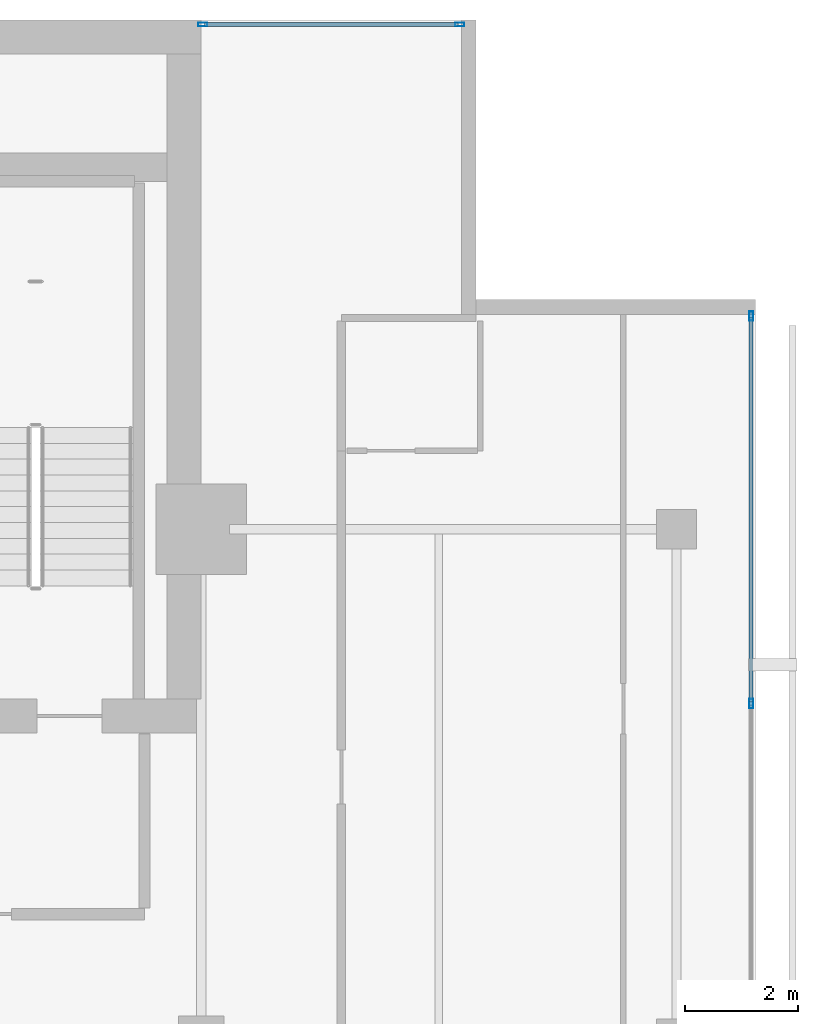
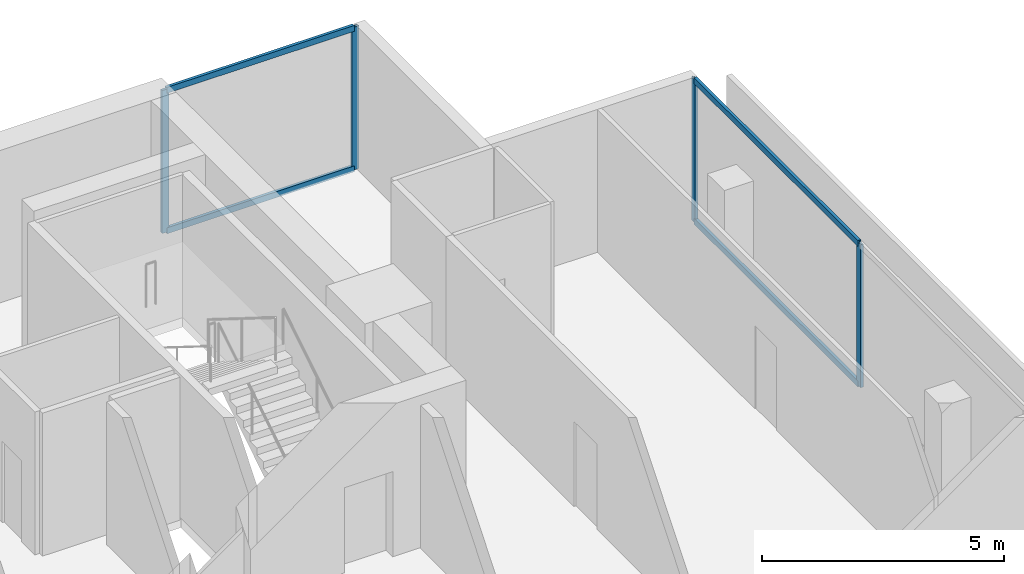
# One storey, part 18 of 25: 8 members, 2 elements without a shape of their own.
"""IFC4 building model written with IfcOpenShell, lengths in metres."""

from ifc_helpers import new_model, si_unit, direction, frame, origin, origin_2d, place, context, subcontext, project, spatial, hollow_rectangle, extrude, material, layer, layer_set, material_profile, profile_set, type_object, element, aggregate, save


model = new_model("IFC4")

# Units and contexts
model_context = context("Model", 3, precision=1e-05, world=origin(), true_north=direction((0.0, 1.0)))
body_context = subcontext(model_context, "Body", "Model", "MODEL_VIEW")
ifc_project = project(units=[si_unit("LENGTHUNIT", "METRE"), si_unit("AREAUNIT", "SQUARE_METRE"), si_unit("VOLUMEUNIT", "CUBIC_METRE"), si_unit("PLANEANGLEUNIT", "RADIAN"), si_unit("MASSUNIT", "GRAM", prefix="KILO")], contexts=[model_context])

# Site, building, storey
site_placement = place(None, origin())
site = spatial("IfcSite", under=ifc_project, at=site_placement, CompositionType="ELEMENT")
building_placement = place(site_placement, origin())
building = spatial("IfcBuilding", under=site, at=building_placement, Name="Maruvema Waterfront Hotel and Observation Tower", CompositionType="ELEMENT")
storey_placement = place(building_placement, frame((0.0, 0.0, 281.75)))
storey = spatial("IfcBuildingStorey", under=building, at=storey_placement, Name="L69", CompositionType="ELEMENT", Elevation=281.75)

# Curtain wall, members
ifc_material_1 = material(Name="Anodised bronze aluminium and solar-control low-E IGU", Category="aluminium")
ifc_layer = layer(ifc_material_1, 0.159912109375, Name="Zone 3 Champagne Inner Thermal Curtain Wall System CW-04")
ifc_layer_set = layer_set([ifc_layer], Name="Anodised bronze aluminium and solar-control low-E IGU")
curtain_wall_type = type_object("IfcCurtainWallType", Name="Zone 3 Champagne Inner Thermal Curtain Wall System CW-04", PredefinedType="USERDEFINED", material=ifc_layer_set)
curtain_wall_1_placement = place(storey_placement, origin())
curtain_wall_1 = element("IfcCurtainWall", 1, at=curtain_wall_1_placement, inside=storey, type_object=curtain_wall_type, Name="L69 Curtain Wall CW-L69-E", ObjectType="UNITISED CURTAIN WALL", PredefinedType="USERDEFINED")
ifc_material_2 = material(Name="Anodised architectural bronze aluminium", Category="aluminium")
ifc_material_profile_1 = material_profile(ifc_material_2, hollow_rectangle(XDim=0.070068359375, YDim=0.14990234375, WallThickness=0.00390625, at=origin_2d()), Name="ALU-T70x150")
ifc_profile_set_1 = profile_set([ifc_material_profile_1], Name="Anodised architectural bronze aluminium")
member_type_1 = type_object("IfcMemberType", Name="Curtain Wall Horizontal Transom ALU-T70x150", PredefinedType="USERDEFINED", material=ifc_profile_set_1)
member_1_placement = place(storey_placement, frame((60.1201171875, 41.949951171875, 0.030029296875), z_axis=(0.0, 1.0, 0.0), x_axis=(-1.0, 0.0, 0.0)))
member_1 = element("IfcMember", 2, at=member_1_placement, type_object=member_type_1, Name="CW-04 transom 5.1", ObjectType="TRANSOM", PredefinedType="USERDEFINED", context=body_context, shape_type="SweptSolid", body=[
    extrude(hollow_rectangle(XDim=0.070068359375, YDim=0.14990234375, WallThickness=0.00390625, at=origin_2d()), origin(), (0.0, 0.0, 1.0), 6.7900390625),
])
member_2_placement = place(storey_placement, frame((60.1201171875, 41.949951171875, 3.580078125), z_axis=(0.0, 1.0, 0.0), x_axis=(-1.0, 0.0, 0.0)))
member_2 = element("IfcMember", 3, at=member_2_placement, type_object=member_type_1, Name="CW-04 transom 5.2", ObjectType="TRANSOM", PredefinedType="USERDEFINED", context=body_context, shape_type="SweptSolid", body=[
    extrude(hollow_rectangle(XDim=0.070068359375, YDim=0.14990234375, WallThickness=0.00390625, at=origin_2d()), origin(), (0.0, 0.0, 1.0), 6.7900390625),
])

curtain_wall_2_placement = place(storey_placement, origin())
curtain_wall_2 = element("IfcCurtainWall", 4, at=curtain_wall_2_placement, inside=storey, type_object=curtain_wall_type, Name="L69 Curtain Wall CW-L69-NE", ObjectType="UNITISED CURTAIN WALL", PredefinedType="USERDEFINED")
member_3_placement = place(storey_placement, frame((54.93994140625, 53.919921875, 0.030029296875), z_axis=(-1.0, 0.0, 0.0), x_axis=(0.0, -1.0, 0.0)))
member_3 = element("IfcMember", 5, at=member_3_placement, type_object=member_type_1, Name="CW-04 transom 1.1", ObjectType="TRANSOM", PredefinedType="USERDEFINED", context=body_context, shape_type="SweptSolid", body=[
    extrude(hollow_rectangle(XDim=0.070068359375, YDim=0.14990234375, WallThickness=0.00390625, at=origin_2d()), origin(), (0.0, 0.0, 1.0), 4.47998046875),
])
member_4_placement = place(storey_placement, frame((54.93994140625, 53.919921875, 3.580078125), z_axis=(-1.0, 0.0, 0.0), x_axis=(0.0, -1.0, 0.0)))
member_4 = element("IfcMember", 6, at=member_4_placement, type_object=member_type_1, Name="CW-04 transom 1.2", ObjectType="TRANSOM", PredefinedType="USERDEFINED", context=body_context, shape_type="SweptSolid", body=[
    extrude(hollow_rectangle(XDim=0.070068359375, YDim=0.14990234375, WallThickness=0.00390625, at=origin_2d()), origin(), (0.0, 0.0, 1.0), 4.47998046875),
])

# Member
ifc_material_3 = material(Name="Anodised architectural bronze aluminium", Category="aluminium")
ifc_material_profile_2 = material_profile(ifc_material_3, hollow_rectangle(XDim=0.06494140625, YDim=0.1650390625, WallThickness=0.00390625, at=origin_2d()), Name="ALU-M65x165")
ifc_profile_set_2 = profile_set([ifc_material_profile_2], Name="Anodised architectural bronze aluminium")
member_type_2 = type_object("IfcMemberType", Name="Curtain Wall Primary Mullion ALU-M65x165", PredefinedType="MULLION", material=ifc_profile_set_2)
member_5_placement = place(storey_placement, frame((60.1201171875, 41.919921875, 0.0), z_axis=(0.0, 0.0, 1.0), x_axis=(-1.0, 0.0, 0.0)))
member_5 = element("IfcMember", 7, at=member_5_placement, type_object=member_type_2, Name="CW-04 mullion 5", PredefinedType="MULLION", context=body_context, shape_type="SweptSolid", body=[
    extrude(hollow_rectangle(XDim=0.06494140625, YDim=0.1650390625, WallThickness=0.00390625, at=origin_2d()), origin(), (0.0, 0.0, 1.0), 3.610107421875),
])

member_6_placement = place(storey_placement, frame((60.1201171875, 48.77001953125, 0.0), z_axis=(0.0, 0.0, 1.0), x_axis=(-1.0, 0.0, 0.0)))
member_6 = element("IfcMember", 8, at=member_6_placement, type_object=member_type_2, Name="CW-04 mullion 6", PredefinedType="MULLION", context=body_context, shape_type="SweptSolid", body=[
    extrude(hollow_rectangle(XDim=0.06494140625, YDim=0.1650390625, WallThickness=0.00390625, at=origin_2d()), origin(), (0.0, 0.0, 1.0), 3.610107421875),
])

aggregate(curtain_wall_1, [member_5, member_6, member_1, member_2])

member_7_placement = place(storey_placement, frame((54.969970703125, 53.919921875, 0.0), z_axis=(0.0, 0.0, 1.0), x_axis=(0.0, -1.0, 0.0)))
member_7 = element("IfcMember", 9, at=member_7_placement, type_object=member_type_2, Name="CW-04 mullion 1", PredefinedType="MULLION", context=body_context, shape_type="SweptSolid", body=[
    extrude(hollow_rectangle(XDim=0.06494140625, YDim=0.1650390625, WallThickness=0.00390625, at=origin_2d()), origin(), (0.0, 0.0, 1.0), 3.610107421875),
])

member_8_placement = place(storey_placement, frame((50.429931640625, 53.919921875, 0.0), z_axis=(0.0, 0.0, 1.0), x_axis=(0.0, -1.0, 0.0)))
member_8 = element("IfcMember", 10, at=member_8_placement, type_object=member_type_2, Name="CW-04 mullion 2", PredefinedType="MULLION", context=body_context, shape_type="SweptSolid", body=[
    extrude(hollow_rectangle(XDim=0.06494140625, YDim=0.1650390625, WallThickness=0.00390625, at=origin_2d()), origin(), (0.0, 0.0, 1.0), 3.610107421875),
])

aggregate(curtain_wall_2, [member_7, member_8, member_3, member_4])

save(model, "model.ifc")
